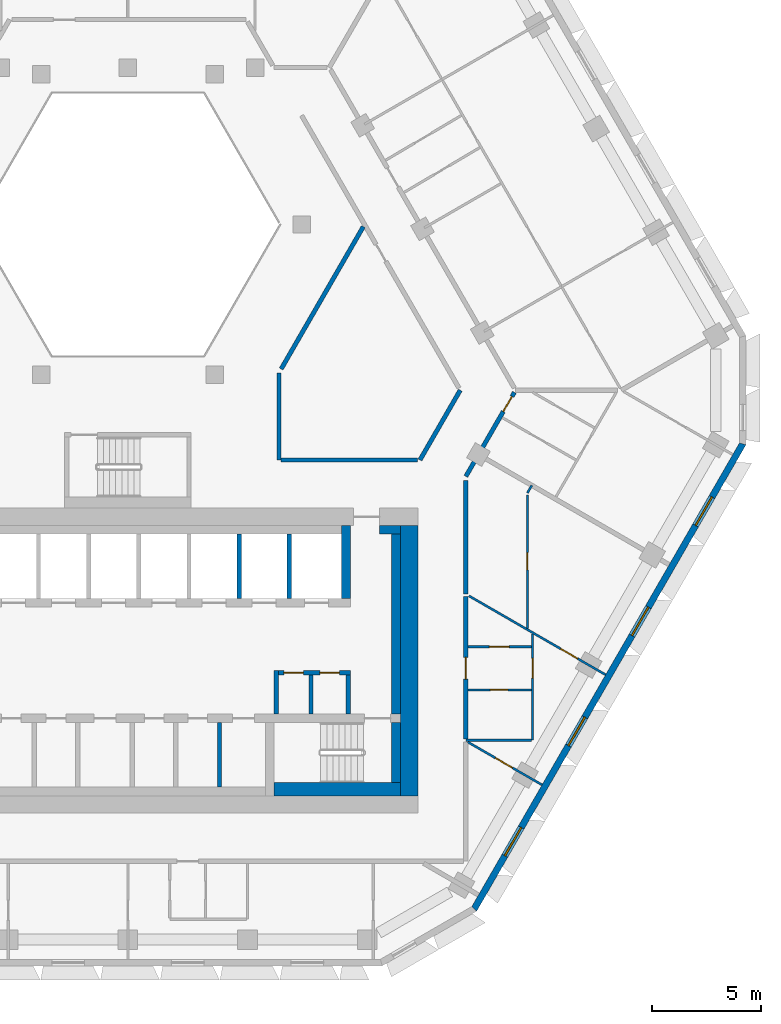
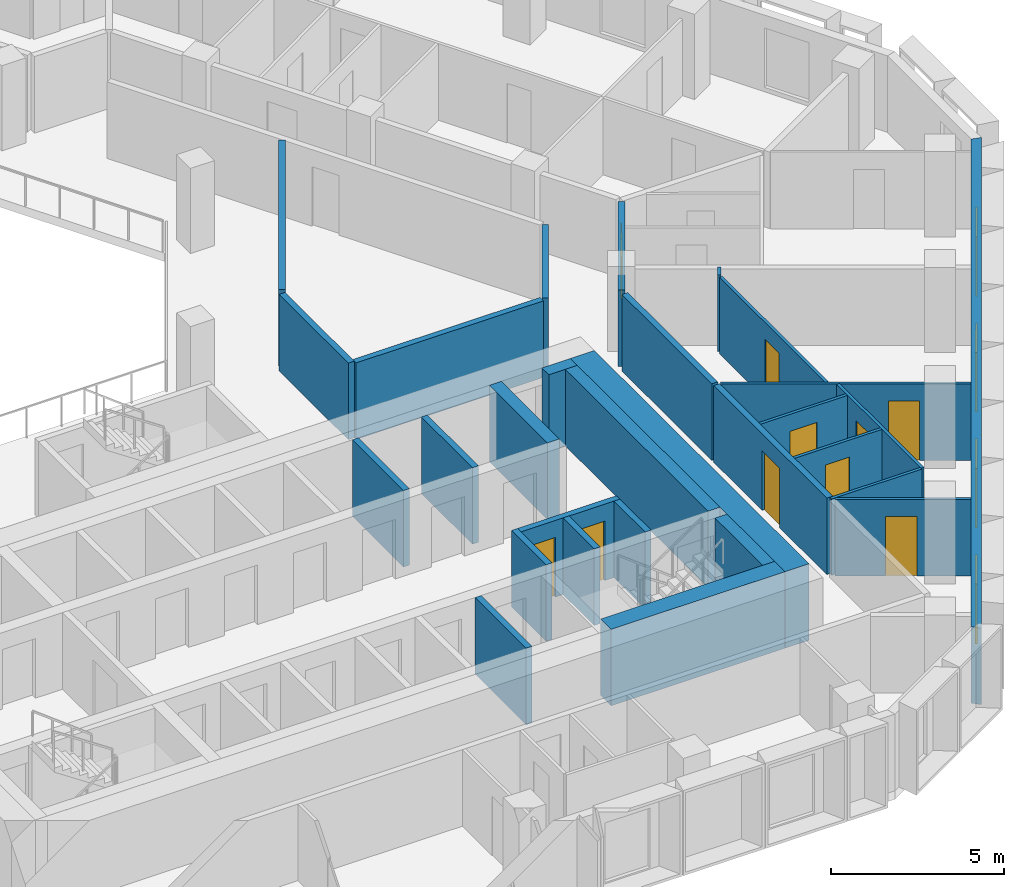
# One storey, part 6 of 15: 29 walls, 10 doors, 4 windows, 14 openings.
"""IFC4 building model written with IfcOpenShell, lengths in metres."""

import ifcopenshell
import ifcopenshell.guid

model = None  # the IFC model being written
_history = None  # IfcOwnerHistory: only IFC2X3 demands one
_inside = {}  # id of a spatial element -> (the spatial element, [elements in it])
_under = {}  # id of a project, library or spatial element -> (it, [spatial elements below it])
_declared = {}  # id of a project -> (the project, [libraries it declares])
_typed = {}  # id of a type object -> (the type object, [elements of that type])
_made_of = {}  # id of a material, layer set ... -> (it, [elements and type objects made of it])


def new_model(schema):
    """Start an empty IFC model of exactly this schema.

    Asked for "IFC4X3", IfcOpenShell would pick the latest addendum, in which some entities
    have other attributes; the version numbers below select the first issue.
    IFC2X3 requires an IfcOwnerHistory on every rooted entity: one is made here for all.
    """
    global model, _history
    if schema == "IFC4X3":
        model = ifcopenshell.file(schema_version=(4, 3, 0, 0))
    else:
        model = ifcopenshell.file(schema=schema)
    _inside.clear()
    _under.clear()
    _declared.clear()
    _typed.clear()
    _made_of.clear()
    _history = None
    if model.schema == "IFC2X3":
        org = make("IfcOrganization", Name="unknown")
        user = make(
            "IfcPersonAndOrganization",
            ThePerson=make("IfcPerson", FamilyName="unknown"),
            TheOrganization=org,
        )
        app = make(
            "IfcApplication",
            ApplicationDeveloper=org,
            Version="unknown",
            ApplicationFullName="unknown",
            ApplicationIdentifier="unknown",
        )
        _history = make(
            "IfcOwnerHistory",
            OwningUser=user,
            OwningApplication=app,
            ChangeAction="ADDED",
            CreationDate=0,
        )
    return model


def make(cls, **values):
    """One entity of the class cls with the attributes given. An attribute that is None is left unset."""
    return model.create_entity(
        cls, **{name: value for name, value in values.items() if value is not None}
    )


def rooted(cls, **values):
    """An entity with a GlobalId (a new one), such as an element, a storey or a relation."""
    return make(cls, GlobalId=ifcopenshell.guid.new(), OwnerHistory=_history, **values)


def si_unit(unit_type, name, prefix=None):
    """IfcSIUnit, for example si_unit("LENGTHUNIT", "METRE", prefix="MILLI")."""
    return make("IfcSIUnit", UnitType=unit_type, Prefix=prefix, Name=name)


def assignment(units):
    """IfcUnitAssignment: the units of a project."""
    return None if units is None else make("IfcUnitAssignment", Units=units)


def point(xyz):
    """IfcCartesianPoint."""
    return None if xyz is None else make("IfcCartesianPoint", Coordinates=xyz)


def direction(xyz):
    """IfcDirection."""
    return None if xyz is None else make("IfcDirection", DirectionRatios=xyz)


def frame(location, z_axis=None, x_axis=None):
    """IfcAxis2Placement3D, a coordinate frame: its origin and axes. An axis left out is left unset."""
    return make(
        "IfcAxis2Placement3D",
        Location=point(location),
        Axis=direction(z_axis),
        RefDirection=direction(x_axis),
    )


def frame_2d(location, x_axis=None):
    """IfcAxis2Placement2D, a coordinate frame in the plane: its origin and x axis."""
    return make(
        "IfcAxis2Placement2D", Location=point(location), RefDirection=direction(x_axis)
    )


def origin():
    """The frame at (0, 0, 0) with its axes left unset."""
    return frame((0.0, 0.0, 0.0))


def place(relative_to, where):
    """IfcLocalPlacement: puts the frame where relative to a parent placement (None: the world)."""
    return make(
        "IfcLocalPlacement", PlacementRelTo=relative_to, RelativePlacement=where
    )


def context(
    kind, dimensions, precision=None, world=None, true_north=None, identifier=None
):
    """IfcGeometricRepresentationContext, for example the 3D "Model" context."""
    return make(
        "IfcGeometricRepresentationContext",
        ContextIdentifier=identifier,
        ContextType=kind,
        CoordinateSpaceDimension=dimensions,
        Precision=precision,
        WorldCoordinateSystem=world,
        TrueNorth=true_north,
    )


def subcontext(parent, identifier, kind, view, scale=None):
    """IfcGeometricRepresentationSubContext, for example "Body" below "Model"."""
    return make(
        "IfcGeometricRepresentationSubContext",
        ContextIdentifier=identifier,
        ContextType=kind,
        ParentContext=parent,
        TargetScale=scale,
        TargetView=view,
    )


def project(units=None, contexts=None):
    """IfcProject with its units and contexts."""
    return rooted(
        "IfcProject",
        Name="project",
        RepresentationContexts=contexts,
        UnitsInContext=assignment(units),
    )


def spatial(cls, under=None, at=None, **own):
    """A site, building, storey or space (cls), placed at a placement, below another one or the project."""
    s = rooted(cls, ObjectPlacement=at, **own)
    if under is not None:
        _under.setdefault(under.id(), (under, []))[1].append(s)
    return s


def polyline(points):
    """IfcPolyline through the points."""
    return make("IfcPolyline", Points=[point(p) for p in points])


def profile(cls, at=None, kind="AREA", **sizes):
    """A parametric profile (cls). Its sizes go by their IFC names, for example OverallWidth=200.0."""
    return make(cls, ProfileType=kind, Position=at, **sizes)


def rectangle(**sizes):
    """IfcRectangleProfileDef."""
    return profile("IfcRectangleProfileDef", **sizes)


def outline(outer, holes=None, kind="AREA"):
    """IfcArbitraryClosedProfileDef: a profile drawn as a closed curve; with holes, ...WithVoids."""
    if holes is None:
        return make("IfcArbitraryClosedProfileDef", ProfileType=kind, OuterCurve=outer)
    return make(
        "IfcArbitraryProfileDefWithVoids",
        ProfileType=kind,
        OuterCurve=outer,
        InnerCurves=holes,
    )


def extrude(swept, where, along, depth):
    """IfcExtrudedAreaSolid: the profile swept, set in the frame where, extruded along a direction by depth."""
    return make(
        "IfcExtrudedAreaSolid",
        SweptArea=swept,
        Position=where,
        ExtrudedDirection=direction(along),
        Depth=depth,
    )


def shape(context_of_items, identifier, shape_type, items):
    """IfcShapeRepresentation: the items that make up one representation, for example the "Body"."""
    return make(
        "IfcShapeRepresentation",
        ContextOfItems=context_of_items,
        RepresentationIdentifier=identifier,
        RepresentationType=shape_type,
        Items=items,
    )


def material(Name=None, Category=None):
    """IfcMaterial."""
    return make("IfcMaterial", Name=Name, Category=Category)


def layer(
    of_material, thickness, ventilated=None, Name=None, Category=None, Priority=None
):
    """IfcMaterialLayer: one layer of a wall or slab, of a material (None: an air gap)."""
    return make(
        "IfcMaterialLayer",
        Material=of_material,
        LayerThickness=thickness,
        IsVentilated=ventilated,
        Name=Name,
        Category=Category,
        Priority=Priority,
    )


def layer_set(layers, Name=None):
    """IfcMaterialLayerSet."""
    return make("IfcMaterialLayerSet", MaterialLayers=layers, LayerSetName=Name)


def made_of(thing, what):
    """Note that an element or type object is made of a material, layer set ...; save() writes the relation."""
    if what is not None:
        _made_of.setdefault(what.id(), (what, []))[1].append(thing)
    return thing


def type_object(cls, material=None, **own):
    """A type object (cls), such as IfcWallType, which elements share."""
    return made_of(rooted(cls, **own), material)


def element(
    cls,
    number,
    at=None,
    inside=None,
    cuts=None,
    type_object=None,
    material=None,
    context=None,
    identifier="Body",
    shape_type=None,
    held_by="IfcProductDefinitionShape",
    body=None,
    shapes=None,
    **own,
):
    """One element of the class cls, such as IfcWall. Its Tag is "e" and its number.

    at: its placement. inside: the storey or other place that contains it. cuts: it is an
    opening in that element (IfcRelVoidsElement). A single representation is given by context,
    identifier, shape_type and body (its items); several are given by shapes. held_by: the class
    of the entity that holds the representations. save() writes the other relations.
    """
    e = rooted(cls, Tag="e%d" % number, ObjectPlacement=at, **own)
    if body is not None:
        shapes = [shape(context, identifier, shape_type, body)]
    if shapes is not None:
        e.Representation = make(held_by, Representations=shapes)
    if inside is not None:
        _inside.setdefault(inside.id(), (inside, []))[1].append(e)
    if cuts is not None:
        rooted(
            "IfcRelVoidsElement", RelatingBuildingElement=cuts, RelatedOpeningElement=e
        )
    if type_object is not None:
        _typed.setdefault(type_object.id(), (type_object, []))[1].append(e)
    return made_of(e, material)


def fill(opening, filler):
    """IfcRelFillsElement: the door or window that sits in an opening."""
    return rooted(
        "IfcRelFillsElement",
        RelatingOpeningElement=opening,
        RelatedBuildingElement=filler,
    )


def aggregate(whole, parts):
    """IfcRelAggregates: a whole, such as a stair, and the parts it consists of."""
    return rooted("IfcRelAggregates", RelatingObject=whole, RelatedObjects=parts)


def save(model, path):
    """Write the relations noted so far, then the file.

    IfcRelAggregates (storeys below a building ...), IfcRelContainedInSpatialStructure (elements
    in a storey), IfcRelDefinesByType, IfcRelAssociatesMaterial and IfcRelDeclares: one each for
    every whole, place, type object, material and project.
    """
    for whole, parts in _under.values():
        aggregate(whole, parts)
    for where, things in _inside.values():
        rooted(
            "IfcRelContainedInSpatialStructure",
            RelatedElements=things,
            RelatingStructure=where,
        )
    for kind, things in _typed.values():
        rooted("IfcRelDefinesByType", RelatedObjects=things, RelatingType=kind)
    for what, things in _made_of.values():
        rooted("IfcRelAssociatesMaterial", RelatedObjects=things, RelatingMaterial=what)
    for by, libraries in _declared.values():
        rooted("IfcRelDeclares", RelatingContext=by, RelatedDefinitions=libraries)
    model.write(path)


model = new_model("IFC4")

# Units and contexts
model_context = context("Model", 3, precision=1e-05, world=origin(), true_north=direction((0.0, 1.0)))
body_context = subcontext(model_context, "Body", "Model", "MODEL_VIEW")
ifc_project = project(units=[si_unit("LENGTHUNIT", "METRE"), si_unit("AREAUNIT", "SQUARE_METRE"), si_unit("VOLUMEUNIT", "CUBIC_METRE"), si_unit("PLANEANGLEUNIT", "RADIAN"), si_unit("MASSUNIT", "GRAM", prefix="KILO")], contexts=[model_context])

# Site, building, storey
site_placement = place(None, origin())
site = spatial("IfcSite", under=ifc_project, at=site_placement, CompositionType="ELEMENT")
building_placement = place(site_placement, origin())
building = spatial("IfcBuilding", under=site, at=building_placement, Name="Beryl Residences", CompositionType="ELEMENT")
storey_placement = place(building_placement, frame((0.0, 0.0, 141.60009765625)))
storey = spatial("IfcBuildingStorey", under=building, at=storey_placement, Name="L43", CompositionType="ELEMENT", Elevation=141.60009765625)

# Wall, openings, windows
ifc_material_1 = material(Name="Composite metal panel with mineral wool insulation")
ifc_layer_1 = layer(ifc_material_1, 0.300048828125)
ifc_layer_set_1 = layer_set([ifc_layer_1], Name="ES1 pale metal composite panel wall 300 mm")
wall_type_1 = type_object("IfcWallType", Name="ES1 pale metal composite panel wall 300 mm", PredefinedType="SOLIDWALL", material=ifc_layer_set_1)
wall_1_placement = place(storey_placement, frame((15.862060546875, -23.425048828125, 0.0), z_axis=(0.0, 0.0, 1.0), x_axis=(0.500017503135, 0.866015298109, 0.0)))
wall_1 = element("IfcWall", 1, at=wall_1_placement, inside=storey, type_object=wall_type_1, Name="ES1 external wall L43 SE", PredefinedType="SOLIDWALL", context=body_context, shape_type="SweptSolid", body=[
    extrude(outline(polyline([(0.0, -0.14990234375), (24.7109375, -0.14990234375), (24.630615234375, 0.14990234375), (0.080322265625, 0.14990234375), (0.0, -0.14990234375)])), origin(), (0.0, 0.0, 1.0), 2.699951171875),
])
opening_1_placement = place(wall_1_placement, frame((2.85693359375, 0.0, 0.14990234375)))
opening_1 = element("IfcOpeningElement", 2, at=opening_1_placement, cuts=wall_1, Name="Opening W1", PredefinedType="OPENING", context=body_context, shape_type="SweptSolid", body=[
    extrude(rectangle(XDim=1.5, YDim=2.10009765625, at=frame_2d((0.75, 1.050048828125))), frame((0.0, 0.159912109375, 0.0), z_axis=(0.0, -1.0, 0.0), x_axis=(1.0, 0.0, 0.0)), (0.0, 0.0, 1.0), 0.320068359375),
])
opening_2_placement = place(wall_1_placement, frame((8.68896484375, 0.0, 0.14990234375)))
opening_2 = element("IfcOpeningElement", 3, at=opening_2_placement, cuts=wall_1, Name="Opening W1", PredefinedType="OPENING", context=body_context, shape_type="SweptSolid", body=[
    extrude(rectangle(XDim=1.5, YDim=2.10009765625, at=frame_2d((0.75, 1.050048828125))), frame((0.0, 0.159912109375, 0.0), z_axis=(0.0, -1.0, 0.0), x_axis=(1.0, 0.0, 0.0)), (0.0, 0.0, 1.0), 0.320068359375),
])
opening_3_placement = place(wall_1_placement, frame((14.52001953125, 0.0, 0.14990234375)))
opening_3 = element("IfcOpeningElement", 4, at=opening_3_placement, cuts=wall_1, Name="Opening W1", PredefinedType="OPENING", context=body_context, shape_type="SweptSolid", body=[
    extrude(rectangle(XDim=1.5, YDim=2.10009765625, at=frame_2d((0.75, 1.050048828125))), frame((0.0, 0.159912109375, 0.0), z_axis=(0.0, -1.0, 0.0), x_axis=(1.0, 0.0, 0.0)), (0.0, 0.0, 1.0), 0.320068359375),
])
opening_4_placement = place(wall_1_placement, frame((20.35107421875, 0.0, 0.14990234375)))
opening_4 = element("IfcOpeningElement", 5, at=opening_4_placement, cuts=wall_1, Name="Opening W1", PredefinedType="OPENING", context=body_context, shape_type="SweptSolid", body=[
    extrude(rectangle(XDim=1.5, YDim=2.10009765625, at=frame_2d((0.75, 1.050048828125))), frame((0.0, 0.159912109375, 0.0), z_axis=(0.0, -1.0, 0.0), x_axis=(1.0, 0.0, 0.0)), (0.0, 0.0, 1.0), 0.320068359375),
])
ifc_material_2 = material(Name="Aluminium and clear glass", Category="aluminium")
window_type = type_object("IfcWindowType", Name="W1 cell window 1500 x 2100 mm", PartitioningType="SINGLE_PANEL", PredefinedType="WINDOW", material=ifc_material_2)
window_1_placement = place(opening_1_placement, origin())
window_1 = element("IfcWindow", 6, at=window_1_placement, inside=storey, type_object=window_type, Name="W1 window L43 SE 2", OverallHeight=2.10009765625, OverallWidth=1.5, PartitioningType="SINGLE_PANEL", PredefinedType="WINDOW", context=body_context, shape_type="SweptSolid", body=[
    extrude(rectangle(XDim=1.5, YDim=2.10009765625, at=frame_2d((0.75, 1.050048828125))), frame((0.0, 0.030029296875, 0.0), z_axis=(0.0, -1.0, 0.0), x_axis=(1.0, 0.0, 0.0)), (0.0, 0.0, 1.0), 0.06005859375),
])
fill(opening_1, window_1)
window_2_placement = place(opening_2_placement, origin())
window_2 = element("IfcWindow", 7, at=window_2_placement, inside=storey, type_object=window_type, Name="W1 window L43 SE 4", OverallHeight=2.10009765625, OverallWidth=1.5, PartitioningType="SINGLE_PANEL", PredefinedType="WINDOW", context=body_context, shape_type="SweptSolid", body=[
    extrude(rectangle(XDim=1.5, YDim=2.10009765625, at=frame_2d((0.75, 1.050048828125))), frame((0.0, 0.030029296875, 0.0), z_axis=(0.0, -1.0, 0.0), x_axis=(1.0, 0.0, 0.0)), (0.0, 0.0, 1.0), 0.06005859375),
])
fill(opening_2, window_2)
window_3_placement = place(opening_3_placement, origin())
window_3 = element("IfcWindow", 8, at=window_3_placement, inside=storey, type_object=window_type, Name="W1 window L43 SE 6", OverallHeight=2.10009765625, OverallWidth=1.5, PartitioningType="SINGLE_PANEL", PredefinedType="WINDOW", context=body_context, shape_type="SweptSolid", body=[
    extrude(rectangle(XDim=1.5, YDim=2.10009765625, at=frame_2d((0.75, 1.050048828125))), frame((0.0, 0.030029296875, 0.0), z_axis=(0.0, -1.0, 0.0), x_axis=(1.0, 0.0, 0.0)), (0.0, 0.0, 1.0), 0.06005859375),
])
fill(opening_3, window_3)
window_4_placement = place(opening_4_placement, origin())
window_4 = element("IfcWindow", 9, at=window_4_placement, inside=storey, type_object=window_type, Name="W1 window L43 SE 8", OverallHeight=2.10009765625, OverallWidth=1.5, PartitioningType="SINGLE_PANEL", PredefinedType="WINDOW", context=body_context, shape_type="SweptSolid", body=[
    extrude(rectangle(XDim=1.5, YDim=2.10009765625, at=frame_2d((0.75, 1.050048828125))), frame((0.0, 0.030029296875, 0.0), z_axis=(0.0, -1.0, 0.0), x_axis=(1.0, 0.0, 0.0)), (0.0, 0.0, 1.0), 0.06005859375),
])
fill(opening_4, window_4)

# Wall, opening, door
ifc_material_3 = material(Name="Gypsum board partition on steel studs", Category="steel")
ifc_layer_2 = layer(ifc_material_3, 0.10009765625)
ifc_layer_set_2 = layer_set([ifc_layer_2], Name="PT1 partition 100 mm gypsum board on steel studs")
wall_type_2 = type_object("IfcWallType", Name="PT1 partition 100 mm gypsum board on steel studs", PredefinedType="PARTITIONING", material=ifc_layer_set_2)
wall_2_placement = place(storey_placement, frame((18.324951171875, -4.408935546875, 0.0), z_axis=(0.0, 0.0, 1.0), x_axis=(0.0, -1.0, 0.0)))
wall_2 = element("IfcWall", 10, at=wall_2_placement, inside=storey, type_object=wall_type_2, Name="Wall PT1 L43 005", PredefinedType="PARTITIONING", context=body_context, shape_type="SweptSolid", body=[
    extrude(rectangle(XDim=6.114990234375, YDim=0.10009765625, at=frame_2d((3.0576171875, 0.0))), origin(), (0.0, 0.0, 1.0), 2.699951171875),
])
opening_5_placement = place(wall_2_placement, frame((2.635986328125, 0.0, 0.0)))
opening_5 = element("IfcOpeningElement", 11, at=opening_5_placement, cuts=wall_2, Name="Opening D1313", PredefinedType="OPENING", context=body_context, shape_type="SweptSolid", body=[
    extrude(rectangle(XDim=0.800048828125, YDim=2.10009765625, at=frame_2d((0.39990234375, 1.050048828125))), frame((0.0, 0.06005859375, 0.0), z_axis=(0.0, -1.0, 0.0), x_axis=(1.0, 0.0, 0.0)), (0.0, 0.0, 1.0), 0.1201171875),
])
ifc_material_4 = material(Name="Timber door leaf", Category="wood")
door_type_1 = type_object("IfcDoorType", Name="D3 bathroom door 800 x 2100 mm", OperationType="SINGLE_SWING_LEFT", PredefinedType="DOOR", material=ifc_material_4)
door_1_placement = place(opening_5_placement, origin())
door_1 = element("IfcDoor", 12, at=door_1_placement, inside=storey, type_object=door_type_1, Name="Door D1313 L43 001", OperationType="SINGLE_SWING_LEFT", OverallHeight=2.10009765625, OverallWidth=0.800048828125, PredefinedType="DOOR", context=body_context, shape_type="SweptSolid", body=[
    extrude(rectangle(XDim=0.800048828125, YDim=2.10009765625, at=frame_2d((0.39990234375, 1.050048828125))), frame((0.0, 0.02490234375, 0.0), z_axis=(0.0, -1.0, 0.0), x_axis=(1.0, 0.0, 0.0)), (0.0, 0.0, 1.0), 0.050048828125),
])
fill(opening_5, door_1)

wall_3_placement = place(storey_placement, frame((15.5869140625, -15.73388671875, 0.0), z_axis=(0.0, 0.0, 1.0), x_axis=(0.866023334807, -0.500003583557, 0.0)))
wall_3 = element("IfcWall", 13, at=wall_3_placement, inside=storey, type_object=wall_type_2, Name="Wall PT1 L43 010", PredefinedType="PARTITIONING", context=body_context, shape_type="SweptSolid", body=[
    extrude(rectangle(XDim=3.93408203125, YDim=0.10009765625, at=frame_2d((1.967041015625, 0.0))), origin(), (0.0, 0.0, 1.0), 2.699951171875),
])
opening_6_placement = place(wall_3_placement, frame((1.467041015625, 0.0, 0.0)))
opening_6 = element("IfcOpeningElement", 14, at=opening_6_placement, cuts=wall_3, Name="Opening D1311", PredefinedType="OPENING", context=body_context, shape_type="SweptSolid", body=[
    extrude(rectangle(XDim=0.89990234375, YDim=2.10009765625, at=frame_2d((0.449951171875, 1.050048828125))), frame((0.0, 0.06005859375, 0.0), z_axis=(0.0, -1.0, 0.0), x_axis=(1.0, 0.0, 0.0)), (0.0, 0.0, 1.0), 0.1201171875),
])
ifc_material_5 = material(Name="Timber door leaf", Category="wood")
door_type_2 = type_object("IfcDoorType", Name="D2 room door 900 x 2100 mm", OperationType="SINGLE_SWING_LEFT", PredefinedType="DOOR", material=ifc_material_5)
door_2_placement = place(opening_6_placement, origin())
door_2 = element("IfcDoor", 15, at=door_2_placement, inside=storey, type_object=door_type_2, Name="Door D1311 L43 001", OperationType="SINGLE_SWING_LEFT", OverallHeight=2.10009765625, OverallWidth=0.89990234375, PredefinedType="DOOR", context=body_context, shape_type="SweptSolid", body=[
    extrude(rectangle(XDim=0.89990234375, YDim=2.10009765625, at=frame_2d((0.449951171875, 1.050048828125))), frame((0.0, 0.02490234375, 0.0), z_axis=(0.0, -1.0, 0.0), x_axis=(1.0, 0.0, 0.0)), (0.0, 0.0, 1.0), 0.050048828125),
])
fill(opening_6, door_2)

wall_4_placement = place(storey_placement, frame((15.64111328125, -9.031982421875, 0.0), z_axis=(0.0, 0.0, 1.0), x_axis=(0.866049104564, -0.499958946799, 0.0)))
wall_4 = element("IfcWall", 16, at=wall_4_placement, inside=storey, type_object=wall_type_2, Name="Wall PT1 L43 014", PredefinedType="PARTITIONING", context=body_context, shape_type="SweptSolid", body=[
    extrude(rectangle(XDim=7.23828125, YDim=0.10009765625, at=frame_2d((3.619140625, 0.0))), origin(), (0.0, 0.0, 1.0), 2.699951171875),
])
opening_7_placement = place(wall_4_placement, frame((4.85400390625, 0.0, 0.0)))
opening_7 = element("IfcOpeningElement", 17, at=opening_7_placement, cuts=wall_4, Name="Opening D1312", PredefinedType="OPENING", context=body_context, shape_type="SweptSolid", body=[
    extrude(rectangle(XDim=0.89990234375, YDim=2.10009765625, at=frame_2d((0.449951171875, 1.050048828125))), frame((0.0, 0.06005859375, 0.0), z_axis=(0.0, -1.0, 0.0), x_axis=(1.0, 0.0, 0.0)), (0.0, 0.0, 1.0), 0.1201171875),
])
door_3_placement = place(opening_7_placement, origin())
door_3 = element("IfcDoor", 18, at=door_3_placement, inside=storey, type_object=door_type_2, Name="Door D1312 L43 001", OperationType="SINGLE_SWING_RIGHT", OverallHeight=2.10009765625, OverallWidth=0.89990234375, PredefinedType="DOOR", context=body_context, shape_type="SweptSolid", body=[
    extrude(rectangle(XDim=0.89990234375, YDim=2.10009765625, at=frame_2d((0.449951171875, 1.050048828125))), frame((0.0, 0.02490234375, 0.0), z_axis=(0.0, -1.0, 0.0), x_axis=(1.0, 0.0, 0.0)), (0.0, 0.0, 1.0), 0.050048828125),
])
fill(opening_7, door_3)

wall_5_placement = place(storey_placement, frame((15.60009765625, -11.362060546875, 0.0), z_axis=(0.0, 0.0, 1.0), x_axis=(1.0, 0.0, 0.0)))
wall_5 = element("IfcWall", 19, at=wall_5_placement, inside=storey, type_object=wall_type_2, Name="Wall PT1 L43 020", PredefinedType="PARTITIONING", context=body_context, shape_type="SweptSolid", body=[
    extrude(rectangle(XDim=2.909912109375, YDim=0.10009765625, at=frame_2d((1.455078125, 0.0))), origin(), (0.0, 0.0, 1.0), 2.699951171875),
])
opening_8_placement = place(wall_5_placement, frame((0.97998046875, 0.0, 0.0)))
opening_8 = element("IfcOpeningElement", 20, at=opening_8_placement, cuts=wall_5, Name="Opening D1309", PredefinedType="OPENING", context=body_context, shape_type="SweptSolid", body=[
    extrude(rectangle(XDim=0.89990234375, YDim=2.10009765625, at=frame_2d((0.449951171875, 1.050048828125))), frame((0.0, 0.06005859375, 0.0), z_axis=(0.0, -1.0, 0.0), x_axis=(1.0, 0.0, 0.0)), (0.0, 0.0, 1.0), 0.1201171875),
])
door_4_placement = place(opening_8_placement, origin())
door_4 = element("IfcDoor", 21, at=door_4_placement, inside=storey, type_object=door_type_2, Name="Door D1309 L43 001", OperationType="SINGLE_SWING_LEFT", OverallHeight=2.10009765625, OverallWidth=0.89990234375, PredefinedType="DOOR", context=body_context, shape_type="SweptSolid", body=[
    extrude(rectangle(XDim=0.89990234375, YDim=2.10009765625, at=frame_2d((0.449951171875, 1.050048828125))), frame((0.0, 0.02490234375, 0.0), z_axis=(0.0, -1.0, 0.0), x_axis=(1.0, 0.0, 0.0)), (0.0, 0.0, 1.0), 0.050048828125),
])
fill(opening_8, door_4)

wall_6_placement = place(storey_placement, frame((15.60009765625, -13.342041015625, 0.0), z_axis=(0.0, 0.0, 1.0), x_axis=(1.0, 0.0, 0.0)))
wall_6 = element("IfcWall", 22, at=wall_6_placement, inside=storey, type_object=wall_type_2, Name="Wall PT1 L43 021", PredefinedType="PARTITIONING", context=body_context, shape_type="SweptSolid", body=[
    extrude(rectangle(XDim=2.909912109375, YDim=0.10009765625, at=frame_2d((1.455078125, 0.0))), origin(), (0.0, 0.0, 1.0), 2.699951171875),
])
opening_9_placement = place(wall_6_placement, frame((1.030029296875, 0.0, 0.0)))
opening_9 = element("IfcOpeningElement", 23, at=opening_9_placement, cuts=wall_6, Name="Opening D1308", PredefinedType="OPENING", context=body_context, shape_type="SweptSolid", body=[
    extrude(rectangle(XDim=0.800048828125, YDim=2.10009765625, at=frame_2d((0.39990234375, 1.050048828125))), frame((0.0, 0.06005859375, 0.0), z_axis=(0.0, -1.0, 0.0), x_axis=(1.0, 0.0, 0.0)), (0.0, 0.0, 1.0), 0.1201171875),
])
door_5_placement = place(opening_9_placement, origin())
door_5 = element("IfcDoor", 24, at=door_5_placement, inside=storey, type_object=door_type_1, Name="Door D1308 L43 001", OperationType="SINGLE_SWING_RIGHT", OverallHeight=2.10009765625, OverallWidth=0.800048828125, PredefinedType="DOOR", context=body_context, shape_type="SweptSolid", body=[
    extrude(rectangle(XDim=0.800048828125, YDim=2.10009765625, at=frame_2d((0.39990234375, 1.050048828125))), frame((0.0, 0.02490234375, 0.0), z_axis=(0.0, -1.0, 0.0), x_axis=(1.0, 0.0, 0.0)), (0.0, 0.0, 1.0), 0.050048828125),
])
fill(opening_9, door_5)

# Walls
wall_7_placement = place(storey_placement, frame((15.5, -15.652099609375, 0.0), z_axis=(0.0, 0.0, 1.0), x_axis=(1.0, 0.0, 0.0)))
element("IfcWall", 25, at=wall_7_placement, inside=storey, type_object=wall_type_2, Name="Wall PT1 L43 022", PredefinedType="PARTITIONING", context=body_context, shape_type="SweptSolid", body=[
    extrude(rectangle(XDim=3.010009765625, YDim=0.10009765625, at=frame_2d((1.5048828125, 0.0))), origin(), (0.0, 0.0, 1.0), 2.699951171875),
])
wall_8_placement = place(storey_placement, frame((18.324951171875, -4.30908203125, 0.0), z_axis=(0.0, 0.0, 1.0), x_axis=(0.5014706583, 0.865174652232, 0.0)))
element("IfcWall", 26, at=wall_8_placement, inside=storey, type_object=wall_type_2, Name="Wall PT1 L43 028", PredefinedType="PARTITIONING", context=body_context, shape_type="SweptSolid", body=[
    extrude(rectangle(XDim=0.398681640625, YDim=0.10009765625, at=frame_2d((0.19921875, 0.0))), origin(), (0.0, 0.0, 1.0), 2.699951171875),
])

# Wall, opening, door
wall_9_placement = place(storey_placement, frame((18.56005859375, -15.652099609375, 0.0), z_axis=(0.0, 0.0, 1.0), x_axis=(0.0, 1.0, 0.0)))
wall_9 = element("IfcWall", 27, at=wall_9_placement, inside=storey, type_object=wall_type_2, Name="Wall PT1 L43 041", PredefinedType="PARTITIONING", context=body_context, shape_type="SweptSolid", body=[
    extrude(rectangle(XDim=4.877197265625, YDim=0.10009765625, at=frame_2d((2.4384765625, 0.0))), origin(), (0.0, 0.0, 1.0), 2.699951171875),
])
opening_10_placement = place(wall_9_placement, frame((2.85009765625, 0.0, 0.0)))
opening_10 = element("IfcOpeningElement", 28, at=opening_10_placement, cuts=wall_9, Name="Opening D1310", PredefinedType="OPENING", context=body_context, shape_type="SweptSolid", body=[
    extrude(rectangle(XDim=0.89990234375, YDim=2.10009765625, at=frame_2d((0.449951171875, 1.050048828125))), frame((0.0, 0.06005859375, 0.0), z_axis=(0.0, -1.0, 0.0), x_axis=(1.0, 0.0, 0.0)), (0.0, 0.0, 1.0), 0.1201171875),
])
door_6_placement = place(opening_10_placement, origin())
door_6 = element("IfcDoor", 29, at=door_6_placement, inside=storey, type_object=door_type_2, Name="Door D1310 L43 001", OperationType="SINGLE_SWING_RIGHT", OverallHeight=2.10009765625, OverallWidth=0.89990234375, PredefinedType="DOOR", context=body_context, shape_type="SweptSolid", body=[
    extrude(rectangle(XDim=0.89990234375, YDim=2.10009765625, at=frame_2d((0.449951171875, 1.050048828125))), frame((0.0, 0.02490234375, 0.0), z_axis=(0.0, -1.0, 0.0), x_axis=(1.0, 0.0, 0.0)), (0.0, 0.0, 1.0), 0.050048828125),
])
fill(opening_10, door_6)

# Wall
ifc_material_6 = material(Name="Concrete masonry", Category="masonry")
ifc_layer_3 = layer(ifc_material_6, 0.199951171875)
ifc_layer_set_3 = layer_set([ifc_layer_3], Name="PT13 lobby wall 200 mm")
wall_type_3 = type_object("IfcWallType", Name="PT13 lobby wall 200 mm", PredefinedType="PARTITIONING", material=ifc_layer_set_3)
wall_10_placement = place(storey_placement, frame((6.800048828125, -14.449951171875, 0.0), z_axis=(0.0, 0.0, 1.0), x_axis=(0.0, 1.0, 0.0)))
element("IfcWall", 30, at=wall_10_placement, inside=storey, type_object=wall_type_3, Name="Lobby wall 25", PredefinedType="PARTITIONING", context=body_context, shape_type="SweptSolid", body=[
    extrude(rectangle(XDim=2.0, YDim=0.199951171875, at=frame_2d((1.0, 0.0))), origin(), (0.0, 0.0, 1.0), 2.699951171875),
])

# Wall, openings, doors
wall_11_placement = place(storey_placement, frame((6.89990234375, -12.550048828125, 0.0), z_axis=(0.0, 0.0, 1.0), x_axis=(1.0, 0.0, 0.0)))
wall_11 = element("IfcWall", 31, at=wall_11_placement, inside=storey, type_object=wall_type_3, Name="Lobby wall 26", PredefinedType="PARTITIONING", context=body_context, shape_type="SweptSolid", body=[
    extrude(rectangle(XDim=3.300048828125, YDim=0.199951171875, at=frame_2d((1.64990234375, 0.0))), origin(), (0.0, 0.0, 1.0), 2.699951171875),
])
opening_11_placement = place(wall_11_placement, frame((1.14990234375, 0.0, 0.0), z_axis=(0.0, 0.0, 1.0), x_axis=(-1.0, 0.0, 0.0)))
opening_11 = element("IfcOpeningElement", 32, at=opening_11_placement, cuts=wall_11, Name="Opening CD-D-A1-900", PredefinedType="OPENING", context=body_context, shape_type="SweptSolid", body=[
    extrude(rectangle(XDim=0.89990234375, YDim=2.10009765625, at=frame_2d((0.449951171875, 1.050048828125))), frame((0.0, 0.10986328125, 0.0), z_axis=(0.0, -1.0, 0.0), x_axis=(1.0, 0.0, 0.0)), (0.0, 0.0, 1.0), 0.219970703125),
])
opening_12_placement = place(wall_11_placement, frame((2.7998046875, 0.0, 0.0), z_axis=(0.0, 0.0, 1.0), x_axis=(-1.0, 0.0, 0.0)))
opening_12 = element("IfcOpeningElement", 33, at=opening_12_placement, cuts=wall_11, Name="Opening CD-D-A2-900", PredefinedType="OPENING", context=body_context, shape_type="SweptSolid", body=[
    extrude(rectangle(XDim=0.89990234375, YDim=2.10009765625, at=frame_2d((0.449951171875, 1.050048828125))), frame((0.0, 0.10986328125, 0.0), z_axis=(0.0, -1.0, 0.0), x_axis=(1.0, 0.0, 0.0)), (0.0, 0.0, 1.0), 0.219970703125),
])
ifc_material_7 = material(Name="Steel door leaf in steel frame", Category="steel")
door_type_3 = type_object("IfcDoorType", Name="D6 service room door 900 x 2100 mm", OperationType="SINGLE_SWING_LEFT", PredefinedType="DOOR", material=ifc_material_7)
door_7_placement = place(opening_11_placement, origin())
door_7 = element("IfcDoor", 34, at=door_7_placement, inside=storey, type_object=door_type_3, Name="Door CD-D-A1-900 L43 001", OperationType="SINGLE_SWING_RIGHT", OverallHeight=2.10009765625, OverallWidth=0.89990234375, PredefinedType="DOOR", context=body_context, shape_type="SweptSolid", body=[
    extrude(rectangle(XDim=0.89990234375, YDim=2.10009765625, at=frame_2d((0.449951171875, 1.050048828125))), frame((0.0, 0.02490234375, 0.0), z_axis=(0.0, -1.0, 0.0), x_axis=(1.0, 0.0, 0.0)), (0.0, 0.0, 1.0), 0.050048828125),
])
fill(opening_11, door_7)
door_8_placement = place(opening_12_placement, origin())
door_8 = element("IfcDoor", 35, at=door_8_placement, inside=storey, type_object=door_type_3, Name="Door CD-D-A2-900 L43 001", OperationType="SINGLE_SWING_LEFT", OverallHeight=2.10009765625, OverallWidth=0.89990234375, PredefinedType="DOOR", context=body_context, shape_type="SweptSolid", body=[
    extrude(rectangle(XDim=0.89990234375, YDim=2.10009765625, at=frame_2d((0.449951171875, 1.050048828125))), frame((0.0, 0.02490234375, 0.0), z_axis=(0.0, -1.0, 0.0), x_axis=(1.0, 0.0, 0.0)), (0.0, 0.0, 1.0), 0.050048828125),
])
fill(opening_12, door_8)

# Walls
wall_12_placement = place(storey_placement, frame((10.10009765625, -14.449951171875, 0.0), z_axis=(0.0, 0.0, 1.0), x_axis=(0.0, 1.0, 0.0)))
element("IfcWall", 36, at=wall_12_placement, inside=storey, type_object=wall_type_3, Name="Lobby wall 29", PredefinedType="PARTITIONING", context=body_context, shape_type="SweptSolid", body=[
    extrude(rectangle(XDim=1.800048828125, YDim=0.199951171875, at=frame_2d((0.89990234375, 0.0))), origin(), (0.0, 0.0, 1.0), 2.699951171875),
])
ifc_material_8 = material(Name="Concrete masonry", Category="masonry")
ifc_layer_4 = layer(ifc_material_8, 0.39990234375)
ifc_layer_set_4 = layer_set([ifc_layer_4], Name="PT13-400 lobby wall 400 mm")
wall_type_4 = type_object("IfcWallType", Name="PT13-400 lobby wall 400 mm", PredefinedType="PARTITIONING", material=ifc_layer_set_4)
wall_13_placement = place(storey_placement, frame((11.550048828125, -6.0, 0.0), z_axis=(0.0, 0.0, 1.0), x_axis=(1.0, 0.0, 0.0)))
element("IfcWall", 37, at=wall_13_placement, inside=storey, type_object=wall_type_4, Name="Lobby wall 30", PredefinedType="PARTITIONING", context=body_context, shape_type="SweptSolid", body=[
    extrude(rectangle(XDim=0.949951171875, YDim=0.39990234375, at=frame_2d((0.47509765625, 0.0))), origin(), (0.0, 0.0, 1.0), 2.699951171875),
])
wall_14_placement = place(storey_placement, frame((12.300048828125, -14.449951171875, 0.0), z_axis=(0.0, 0.0, 1.0), x_axis=(0.0, 1.0, 0.0)))
element("IfcWall", 38, at=wall_14_placement, inside=storey, type_object=wall_type_4, Name="Lobby wall 32", PredefinedType="PARTITIONING", context=body_context, shape_type="SweptSolid", body=[
    extrude(rectangle(XDim=8.25, YDim=0.39990234375, at=frame_2d((4.125, 0.0))), origin(), (0.0, 0.0, 1.0), 2.699951171875),
])
ifc_material_9 = material(Name="Double stud gypsum board wall")
ifc_layer_5 = layer(ifc_material_9, 0.199951171875)
ifc_layer_set_5 = layer_set([ifc_layer_5], Name="PT4 corridor wall 200 mm double stud")
wall_type_5 = type_object("IfcWallType", Name="PT4 corridor wall 200 mm double stud", PredefinedType="PARTITIONING", material=ifc_layer_set_5)
wall_15_placement = place(storey_placement, frame((15.5, -3.751953125, 0.0), z_axis=(0.0, 0.0, 1.0), x_axis=(0.0, -1.0, 0.0)))
element("IfcWall", 39, at=wall_15_placement, inside=storey, type_object=wall_type_5, Name="Wall PT4 L43 008", PredefinedType="PARTITIONING", context=body_context, shape_type="SweptSolid", body=[
    extrude(rectangle(XDim=5.197998046875, YDim=0.199951171875, at=frame_2d((2.59912109375, 0.0))), origin(), (0.0, 0.0, 1.0), 2.699951171875),
])
wall_16_placement = place(storey_placement, frame((7.028076171875, -2.800048828125, 0.0), z_axis=(0.0, 0.0, 1.0), x_axis=(1.0, 0.0, 0.0)))
element("IfcWall", 40, at=wall_16_placement, inside=storey, type_object=wall_type_5, Name="Wall PT4 L43 013", PredefinedType="PARTITIONING", context=body_context, shape_type="SweptSolid", body=[
    extrude(rectangle(XDim=6.25, YDim=0.199951171875, at=frame_2d((3.125, 0.0))), origin(), (0.0, 0.0, 1.0), 2.699951171875),
])
wall_17_placement = place(storey_placement, frame((7.028076171875, 1.373046875, 0.0), z_axis=(0.0, 0.0, 1.0), x_axis=(0.499954271211, 0.866051803703, 0.0)))
element("IfcWall", 41, at=wall_17_placement, inside=storey, type_object=wall_type_5, Name="Wall PT4 L43 017", PredefinedType="PARTITIONING", context=body_context, shape_type="SweptSolid", body=[
    extrude(rectangle(XDim=7.536376953125, YDim=0.199951171875, at=frame_2d((3.76806640625, 0.0))), origin(), (0.0, 0.0, 1.0), 2.699951171875),
])
wall_18_placement = place(storey_placement, frame((13.39404296875, -2.800048828125, 0.0), z_axis=(0.0, 0.0, 1.0), x_axis=(0.499968324138, 0.866043691079, 0.0)))
element("IfcWall", 42, at=wall_18_placement, inside=storey, type_object=wall_type_5, Name="Wall PT4 L43 018", PredefinedType="PARTITIONING", context=body_context, shape_type="SweptSolid", body=[
    extrude(rectangle(XDim=3.696044921875, YDim=0.199951171875, at=frame_2d((1.84814453125, 0.0))), origin(), (0.0, 0.0, 1.0), 2.699951171875),
])

# Wall, opening, door
wall_19_placement = place(storey_placement, frame((15.5, -3.552001953125, 0.0), z_axis=(0.0, 0.0, 1.0), x_axis=(0.499928303779, 0.86606679366, 0.0)))
wall_19 = element("IfcWall", 43, at=wall_19_placement, inside=storey, type_object=wall_type_5, Name="Wall PT4 L43 019", PredefinedType="PARTITIONING", context=body_context, shape_type="SweptSolid", body=[
    extrude(rectangle(XDim=4.448974609375, YDim=0.199951171875, at=frame_2d((2.224609375, 0.0))), origin(), (0.0, 0.0, 1.0), 2.699951171875),
])
opening_13_placement = place(wall_19_placement, frame((3.431884765625, 0.0, 0.0)))
opening_13 = element("IfcOpeningElement", 44, at=opening_13_placement, cuts=wall_19, Name="Opening D1314", PredefinedType="OPENING", context=body_context, shape_type="SweptSolid", body=[
    extrude(rectangle(XDim=0.800048828125, YDim=2.10009765625, at=frame_2d((0.39990234375, 1.050048828125))), frame((0.0, 0.10986328125, 0.0), z_axis=(0.0, -1.0, 0.0), x_axis=(1.0, 0.0, 0.0)), (0.0, 0.0, 1.0), 0.219970703125),
])
ifc_material_10 = material(Name="Timber door leaf", Category="wood")
door_type_4 = type_object("IfcDoorType", Name="D12 flat entrance door 800 x 2100 mm", OperationType="SINGLE_SWING_LEFT", PredefinedType="DOOR", material=ifc_material_10)
door_9_placement = place(opening_13_placement, origin())
door_9 = element("IfcDoor", 45, at=door_9_placement, inside=storey, type_object=door_type_4, Name="Door D1314 L43 001", OperationType="SINGLE_SWING_RIGHT", OverallHeight=2.10009765625, OverallWidth=0.800048828125, PredefinedType="DOOR", context=body_context, shape_type="SweptSolid", body=[
    extrude(rectangle(XDim=0.800048828125, YDim=2.10009765625, at=frame_2d((0.39990234375, 1.050048828125))), frame((0.0, 0.02490234375, 0.0), z_axis=(0.0, -1.0, 0.0), x_axis=(1.0, 0.0, 0.0)), (0.0, 0.0, 1.0), 0.050048828125),
])
fill(opening_13, door_9)

# Wall
wall_20_placement = place(storey_placement, frame((6.927978515625, -2.800048828125, 0.0), z_axis=(0.0, 0.0, 1.0), x_axis=(0.0, 1.0, 0.0)))
element("IfcWall", 46, at=wall_20_placement, inside=storey, type_object=wall_type_5, Name="Wall PT4 L43 023", PredefinedType="PARTITIONING", context=body_context, shape_type="SweptSolid", body=[
    extrude(rectangle(XDim=4.0, YDim=0.199951171875, at=frame_2d((2.0, 0.0))), origin(), (0.0, 0.0, 1.0), 2.699951171875),
])

# Wall, opening, door
wall_21_placement = place(storey_placement, frame((15.5, -15.593994140625, 0.0), z_axis=(0.0, 0.0, 1.0), x_axis=(0.0, 1.0, 0.0)))
wall_21 = element("IfcWall", 47, at=wall_21_placement, inside=storey, type_object=wall_type_5, Name="Wall PT4 L43 025", PredefinedType="PARTITIONING", context=body_context, shape_type="SweptSolid", body=[
    extrude(rectangle(XDim=6.5419921875, YDim=0.199951171875, at=frame_2d((3.27099609375, 0.0))), origin(), (0.0, 0.0, 1.0), 2.699951171875),
])
opening_14_placement = place(wall_21_placement, frame((2.741943359375, 0.0, 0.0)))
opening_14 = element("IfcOpeningElement", 48, at=opening_14_placement, cuts=wall_21, Name="Opening D1307", PredefinedType="OPENING", context=body_context, shape_type="SweptSolid", body=[
    extrude(rectangle(XDim=1.0, YDim=2.10009765625, at=frame_2d((0.5, 1.050048828125))), frame((0.0, 0.10986328125, 0.0), z_axis=(0.0, -1.0, 0.0), x_axis=(1.0, 0.0, 0.0)), (0.0, 0.0, 1.0), 0.219970703125),
])
ifc_material_11 = material(Name="Timber door leaf", Category="wood")
door_type_5 = type_object("IfcDoorType", Name="D1 flat entrance door 1000 x 2100 mm", OperationType="SINGLE_SWING_LEFT", PredefinedType="DOOR", material=ifc_material_11)
door_10_placement = place(opening_14_placement, origin())
door_10 = element("IfcDoor", 49, at=door_10_placement, inside=storey, type_object=door_type_5, Name="Door D1307 L43 001", OperationType="SINGLE_SWING_LEFT", OverallHeight=2.10009765625, OverallWidth=1.0, PredefinedType="DOOR", context=body_context, shape_type="SweptSolid", body=[
    extrude(rectangle(XDim=1.0, YDim=2.10009765625, at=frame_2d((0.5, 1.050048828125))), frame((0.0, 0.02490234375, 0.0), z_axis=(0.0, -1.0, 0.0), x_axis=(1.0, 0.0, 0.0)), (0.0, 0.0, 1.0), 0.050048828125),
])
fill(opening_14, door_10)

# Walls
ifc_material_12 = material(Name="Concrete C40/50", Category="concrete")
ifc_layer_6 = layer(ifc_material_12, 0.39990234375)
ifc_layer_set_6 = layer_set([ifc_layer_6], Name="PT5-400 stair enclosure wall 400 mm")
wall_type_6 = type_object("IfcWallType", Name="PT5-400 stair enclosure wall 400 mm", PredefinedType="SOLIDWALL", material=ifc_layer_set_6)
wall_22_placement = place(storey_placement, frame((12.300048828125, -17.60009765625, 0.0), z_axis=(0.0, 0.0, 1.0), x_axis=(0.0, 1.0, 0.0)))
element("IfcWall", 50, at=wall_22_placement, inside=storey, type_object=wall_type_6, Name="Stair wall 31", PredefinedType="SOLIDWALL", context=body_context, shape_type="SweptSolid", body=[
    extrude(rectangle(XDim=2.75, YDim=0.39990234375, at=frame_2d((1.375, 0.0))), origin(), (0.0, 0.0, 1.0), 2.699951171875),
])
ifc_material_13 = material(Name="Concrete C40/50", Category="concrete")
ifc_layer_7 = layer(ifc_material_13, 0.60009765625)
ifc_layer_set_7 = layer_set([ifc_layer_7], Name="PT5-600 stair enclosure wall 600 mm")
wall_type_7 = type_object("IfcWallType", Name="PT5-600 stair enclosure wall 600 mm", PredefinedType="SOLIDWALL", material=ifc_layer_set_7)
wall_23_placement = place(storey_placement, frame((6.699951171875, -17.89990234375, 0.0), z_axis=(0.0, 0.0, 1.0), x_axis=(1.0, 0.0, 0.0)))
element("IfcWall", 51, at=wall_23_placement, inside=storey, type_object=wall_type_7, Name="Stair wall 24", PredefinedType="SOLIDWALL", context=body_context, shape_type="SweptSolid", body=[
    extrude(rectangle(XDim=5.800048828125, YDim=0.60009765625, at=frame_2d((2.89990234375, 0.0))), origin(), (0.0, 0.0, 1.0), 2.699951171875),
])
ifc_material_14 = material(Name="Concrete C40/50", Category="concrete")
ifc_layer_8 = layer(ifc_material_14, 0.199951171875)
ifc_layer_set_8 = layer_set([ifc_layer_8], Name="PT6 lift shaft wall 200 mm reinforced concrete C40/50")
wall_type_8 = type_object("IfcWallType", Name="PT6 lift shaft wall 200 mm reinforced concrete C40/50", PredefinedType="SOLIDWALL", material=ifc_layer_set_8)
for number, where, z_axis, x_axis, name in (
    (52, (5.10009765625, -9.14990234375, 0.0), (0.0, 0.0, 1.0), (0.0, 1.0, 0.0), "Lift shaft wall 23"),
    (53, (7.39990234375, -9.14990234375, 0.0), (0.0, 0.0, 1.0), (0.0, 1.0, 0.0), "Lift shaft wall 27"),
):
    element("IfcWall", number, at=place(storey_placement, frame(where, z_axis=z_axis, x_axis=x_axis)), inside=storey, type_object=wall_type_8, Name=name, PredefinedType="SOLIDWALL", context=body_context, shape_type="SweptSolid", body=[
        extrude(rectangle(XDim=2.949951171875, YDim=0.199951171875, at=frame_2d((1.47509765625, 0.0))), origin(), (0.0, 0.0, 1.0), 2.699951171875),
    ])
ifc_material_15 = material(Name="Concrete masonry", Category="masonry")
ifc_layer_9 = layer(ifc_material_15, 0.199951171875)
ifc_layer_set_9 = layer_set([ifc_layer_9], Name="PT8-200 service room wall 200 mm")
wall_type_9 = type_object("IfcWallType", Name="PT8-200 service room wall 200 mm", PredefinedType="PARTITIONING", material=ifc_layer_set_9)
wall_24_placement = place(storey_placement, frame((4.199951171875, -17.800048828125, 0.0), z_axis=(0.0, 0.0, 1.0), x_axis=(0.0, 1.0, 0.0)))
element("IfcWall", 54, at=wall_24_placement, inside=storey, type_object=wall_type_9, Name="Core room wall 22", PredefinedType="PARTITIONING", context=body_context, shape_type="SweptSolid", body=[
    extrude(rectangle(XDim=2.949951171875, YDim=0.199951171875, at=frame_2d((1.47509765625, 0.0))), origin(), (0.0, 0.0, 1.0), 2.699951171875),
])
wall_25_placement = place(storey_placement, frame((8.39990234375, -14.449951171875, 0.0), z_axis=(0.0, 0.0, 1.0), x_axis=(0.0, 1.0, 0.0)))
element("IfcWall", 55, at=wall_25_placement, inside=storey, type_object=wall_type_9, Name="Core room wall 28", PredefinedType="PARTITIONING", context=body_context, shape_type="SweptSolid", body=[
    extrude(rectangle(XDim=1.800048828125, YDim=0.199951171875, at=frame_2d((0.89990234375, 0.0))), origin(), (0.0, 0.0, 1.0), 2.699951171875),
])
ifc_material_16 = material(Name="Concrete C60/75", Category="concrete")
ifc_layer_10 = layer(ifc_material_16, 0.800048828125)
ifc_layer_set_10 = layer_set([ifc_layer_10], Name="SW3 core outer wall 800 mm C60/75")
wall_type_10 = type_object("IfcWallType", Name="SW3 core outer wall 800 mm C60/75", PredefinedType="SHEAR", material=ifc_layer_set_10)
wall_26_placement = place(storey_placement, frame((12.89990234375, -18.199951171875, 0.0), z_axis=(0.0, 0.0, 1.0), x_axis=(0.0, 1.0, 0.0)))
element("IfcWall", 56, at=wall_26_placement, inside=storey, type_object=wall_type_10, Name="Core wall E L43", PredefinedType="SHEAR", context=body_context, shape_type="SweptSolid", body=[
    extrude(rectangle(XDim=12.39990234375, YDim=0.800048828125, at=frame_2d((6.199951171875, 0.0))), origin(), (0.0, 0.0, 1.0), 2.699951171875),
])
ifc_material_17 = material(Name="Concrete C60/75", Category="concrete")
ifc_layer_11 = layer(ifc_material_17, 0.39990234375)
ifc_layer_set_11 = layer_set([ifc_layer_11], Name="SW8 core internal wall 400 mm C60/75")
wall_type_11 = type_object("IfcWallType", Name="SW8 core internal wall 400 mm C60/75", PredefinedType="SHEAR", material=ifc_layer_set_11)
wall_27_placement = place(storey_placement, frame((10.0, -9.14990234375, 0.0), z_axis=(0.0, 0.0, 1.0), x_axis=(0.0, 1.0, 0.0)))
element("IfcWall", 57, at=wall_27_placement, inside=storey, type_object=wall_type_11, Name="Core wall XN2 L43", PredefinedType="SHEAR", context=body_context, shape_type="SweptSolid", body=[
    extrude(rectangle(XDim=3.349853515625, YDim=0.39990234375, at=frame_2d((1.6748046875, 0.0))), origin(), (0.0, 0.0, 1.0), 2.699951171875),
])

save(model, "model.ifc")
